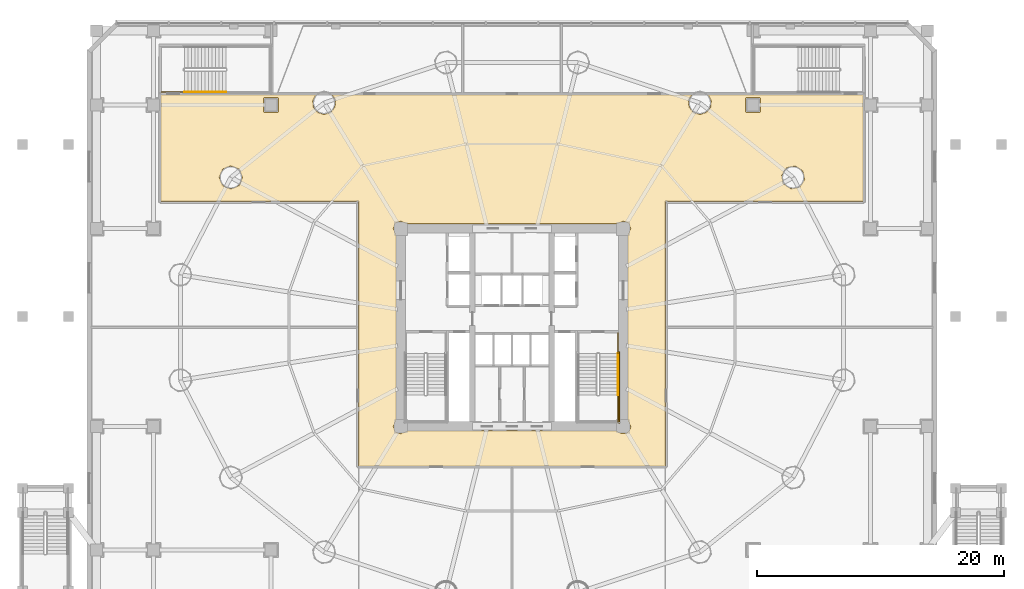
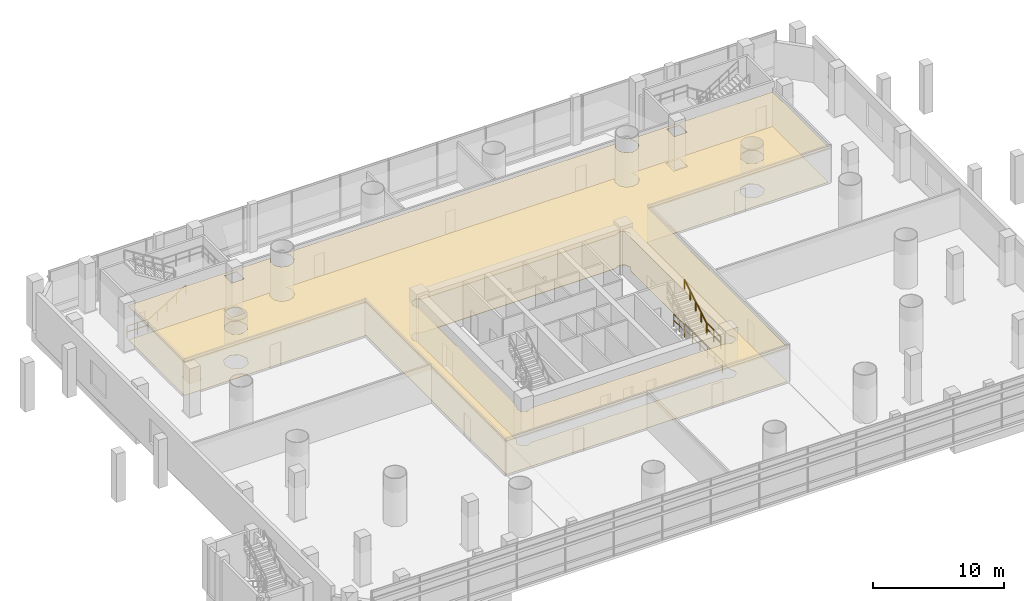
# One storey, part 30 of 36: 6 railings, 2 coverings.
"""IFC4 building model written with IfcOpenShell, lengths in metres."""

from ifc_helpers import new_model, si_unit, direction, frame, origin, origin_2d, place, context, subcontext, project, spatial, polyline, rectangle, outline, extrude, material, layer, layer_set, type_object, element, save


model = new_model("IFC4")

# Units and contexts
model_context = context("Model", 3, precision=1e-05, world=origin(), true_north=direction((-0.2419218956, 0.970295726276)))
body_context = subcontext(model_context, "Body", "Model", "MODEL_VIEW")
ifc_project = project(units=[si_unit("LENGTHUNIT", "METRE"), si_unit("AREAUNIT", "SQUARE_METRE"), si_unit("VOLUMEUNIT", "CUBIC_METRE"), si_unit("PLANEANGLEUNIT", "RADIAN"), si_unit("MASSUNIT", "GRAM", prefix="KILO")], contexts=[model_context])

# Site, building, storey
site_placement = place(None, origin())
site = spatial("IfcSite", under=ifc_project, at=site_placement, CompositionType="ELEMENT")
building_placement = place(site_placement, origin())
building = spatial("IfcBuilding", under=site, at=building_placement, Name="Cobrevalo Terracotta Tower", CompositionType="ELEMENT")
storey_placement = place(building_placement, frame((0.0, 0.0, 9.89990234375)))
storey = spatial("IfcBuildingStorey", under=building, at=storey_placement, Name="L02", CompositionType="ELEMENT", Elevation=9.89990234375)

# Coverings
ifc_material_1 = material(Name="Honed terracotta and granite tile", Category="masonry")
ifc_layer_1 = layer(ifc_material_1, 0.034912109375)
ifc_layer_set_1 = layer_set([ifc_layer_1], Name="Honed terracotta and granite tile")
covering_type_1 = type_object("IfcCoveringType", Name="Honed Terracotta & Granite Interior Flooring 35", PredefinedType="FLOORING", material=ifc_layer_set_1)
covering_1_placement = place(storey_placement, origin())
element("IfcCovering", 1, at=covering_1_placement, inside=storey, type_object=covering_type_1, Name="L02 Podium Gallery Concourse floor finish", PredefinedType="FLOORING", context=body_context, shape_type="SweptSolid", body=[
    extrude(outline(polyline([(9.6201171875, 45.580078125), (22.088134765625, 45.60009765625), (21.863525390625, 45.155029296875), (21.918212890625, 44.60009765625), (22.271728515625, 44.16943359375), (22.80517578125, 44.007568359375), (23.338623046875, 44.16943359375), (23.692138671875, 44.60009765625), (23.746826171875, 45.155029296875), (23.522216796875, 45.60009765625), (52.477783203125, 45.60009765625), (52.253173828125, 45.155029296875), (52.307861328125, 44.60009765625), (52.661376953125, 44.16943359375), (53.19482421875, 44.007568359375), (53.728271484375, 44.16943359375), (54.081787109375, 44.60009765625), (54.136474609375, 45.155029296875), (53.911865234375, 45.60009765625), (66.3798828125, 45.580078125), (66.3798828125, 37.02001953125), (50.3798828125, 37.02001953125), (50.3798828125, 15.6201171875), (25.6201171875, 15.6201171875), (25.6201171875, 37.02001953125), (9.6201171875, 37.02001953125), (9.6201171875, 45.580078125)]), holes=[polyline([(61.274169921875, 38.140869140625), (61.682373046875, 38.751953125), (61.5390625, 39.47265625), (60.927978515625, 39.880859375), (60.207275390625, 39.737548828125), (59.799072265625, 39.12646484375), (59.9423828125, 38.40576171875), (60.553466796875, 37.99755859375), (61.274169921875, 38.140869140625)]), polyline([(56.89990234375, 45.39990234375), (56.89990234375, 44.199951171875), (58.10009765625, 44.199951171875), (58.10009765625, 45.39990234375), (56.89990234375, 45.39990234375)]), polyline([(46.5322265625, 18.405029296875), (46.7626953125, 18.226806640625), (47.2373046875, 18.226806640625), (47.5732421875, 18.5625), (47.620361328125, 18.800048828125), (47.39501953125, 19.267822265625), (47.39501953125, 34.33203125), (47.620361328125, 34.800048828125), (47.438720703125, 35.23876953125), (47.0, 35.42041015625), (46.5322265625, 35.195068359375), (29.4677734375, 35.195068359375), (29.0, 35.42041015625), (28.561279296875, 35.23876953125), (28.379638671875, 34.800048828125), (28.60498046875, 34.33203125), (28.60498046875, 19.267822265625), (28.379638671875, 18.800048828125), (28.561279296875, 18.361328125), (29.0, 18.1796875), (29.4677734375, 18.405029296875), (46.5322265625, 18.405029296875)]), polyline([(17.89990234375, 44.199951171875), (19.10009765625, 44.199951171875), (19.10009765625, 45.39990234375), (17.89990234375, 45.39990234375), (17.89990234375, 44.199951171875)]), polyline([(15.938232421875, 38.26025390625), (16.219482421875, 38.939208984375), (15.938232421875, 39.6181640625), (15.25927734375, 39.8994140625), (14.580322265625, 39.6181640625), (14.29931640625, 38.939208984375), (14.580322265625, 38.26025390625), (15.25927734375, 37.97900390625), (15.938232421875, 38.26025390625)])]), origin(), (0.0, 0.0, 1.0), 0.030029296875),
])
ifc_material_2 = material(Name="Acoustic perforated gypsum ceiling", Category="gypsum")
ifc_layer_2 = layer(ifc_material_2, 0.050048828125)
ifc_layer_set_2 = layer_set([ifc_layer_2], Name="Acoustic perforated gypsum ceiling")
covering_type_2 = type_object("IfcCoveringType", Name="Perforated Acoustic Gypsum Ceiling 50", PredefinedType="CEILING", material=ifc_layer_set_2)
covering_2_placement = place(storey_placement, frame((0.0, 0.0, 3.16015625)))
element("IfcCovering", 2, at=covering_2_placement, inside=storey, type_object=covering_type_2, Name="L02 Podium Gallery Concourse acoustic ceiling", PredefinedType="CEILING", context=body_context, shape_type="SweptSolid", body=[
    extrude(outline(polyline([(9.574951171875, 45.625), (22.183349609375, 45.64501953125), (21.907958984375, 45.14599609375), (21.9599609375, 44.617431640625), (22.296875, 44.20703125), (22.80517578125, 44.052734375), (23.3134765625, 44.20703125), (23.650390625, 44.617431640625), (23.702392578125, 45.14599609375), (23.427001953125, 45.64501953125), (52.572998046875, 45.64501953125), (52.297607421875, 45.14599609375), (52.349609375, 44.617431640625), (52.6865234375, 44.20703125), (53.19482421875, 44.052734375), (53.703125, 44.20703125), (54.0400390625, 44.617431640625), (54.092041015625, 45.14599609375), (53.816650390625, 45.64501953125), (66.425048828125, 45.625), (66.425048828125, 36.97509765625), (50.425048828125, 36.97509765625), (50.425048828125, 15.574951171875), (25.574951171875, 15.574951171875), (25.574951171875, 36.97509765625), (9.574951171875, 36.97509765625), (9.574951171875, 45.625)]), holes=[polyline([(61.2490234375, 38.178466796875), (61.637939453125, 38.7607421875), (61.50146484375, 39.447509765625), (60.919189453125, 39.83642578125), (60.232421875, 39.699951171875), (59.843505859375, 39.11767578125), (59.97998046875, 38.430908203125), (60.562255859375, 38.0419921875), (61.2490234375, 38.178466796875)]), polyline([(56.945068359375, 45.35498046875), (56.945068359375, 44.2451171875), (58.054931640625, 44.2451171875), (58.054931640625, 45.35498046875), (56.945068359375, 45.35498046875)]), polyline([(46.55615234375, 18.449951171875), (46.780029296875, 18.269287109375), (47.219970703125, 18.269287109375), (47.53076171875, 18.580078125), (47.574462890625, 18.800048828125), (47.35009765625, 19.243896484375), (47.35009765625, 34.356201171875), (47.574462890625, 34.800048828125), (47.40625, 35.206298828125), (47.0, 35.37451171875), (46.55615234375, 35.14990234375), (29.44384765625, 35.14990234375), (29.0, 35.37451171875), (28.59375, 35.206298828125), (28.425537109375, 34.800048828125), (28.64990234375, 34.356201171875), (28.64990234375, 19.243896484375), (28.425537109375, 18.800048828125), (28.59375, 18.393798828125), (29.0, 18.2255859375), (29.44384765625, 18.449951171875), (46.55615234375, 18.449951171875)]), polyline([(17.945068359375, 44.2451171875), (19.054931640625, 44.2451171875), (19.054931640625, 45.35498046875), (17.945068359375, 45.35498046875), (17.945068359375, 44.2451171875)]), polyline([(15.90625, 38.292236328125), (16.174072265625, 38.939208984375), (15.90625, 39.586181640625), (15.25927734375, 39.85400390625), (14.6123046875, 39.586181640625), (14.344482421875, 38.939208984375), (14.6123046875, 38.292236328125), (15.25927734375, 38.0244140625), (15.90625, 38.292236328125)])]), origin(), (0.0, 0.0, 1.0), 0.050048828125),
])

# Railings
ifc_material_3 = material(Name="Brushed stainless steel", Category="steel")
railing_type_1 = type_object("IfcRailingType", Name="Stainless Steel Stair Handrail 900", PredefinedType="HANDRAIL", material=ifc_material_3)
railing_1_placement = place(storey_placement, frame((46.574951171875, 21.340087890625, 2.423095703125)))
element("IfcRailing", 3, at=railing_1_placement, inside=storey, type_object=railing_type_1, Name="L02 ST-2 stair handrail 2", PredefinedType="HANDRAIL", context=body_context, shape_type="SweptSolid", body=[
    extrude(rectangle(XDim=0.048095703125, YDim=0.048095703125, at=origin_2d()), frame((0.0, 0.0, 0.8759765625), z_axis=(0.0, 0.850606129759, 0.525803396734), x_axis=(-1.0, 0.0, 0.0)), (0.0, 0.0, 1.0), 3.949951171875),
    extrude(rectangle(XDim=0.0419921875, YDim=0.0419921875, at=origin_2d()), origin(), (0.0, 0.0, 1.0), 0.851806640625),
    extrude(rectangle(XDim=0.0419921875, YDim=0.0419921875, at=origin_2d()), frame((0.0, 0.83984375, 0.519287109375)), (0.0, 0.0, 1.0), 0.851806640625),
    extrude(rectangle(XDim=0.0419921875, YDim=0.0419921875, at=origin_2d()), frame((0.0, 1.679931640625, 1.03857421875)), (0.0, 0.0, 1.0), 0.851806640625),
    extrude(rectangle(XDim=0.0419921875, YDim=0.0419921875, at=origin_2d()), frame((0.0, 2.52001953125, 1.5576171875)), (0.0, 0.0, 1.0), 0.851806640625),
    extrude(rectangle(XDim=0.0419921875, YDim=0.0419921875, at=origin_2d()), frame((0.0, 3.35986328125, 2.076904296875)), (0.0, 0.0, 1.0), 0.851806640625),
])
railing_2_placement = place(storey_placement, frame((11.5, 45.85009765625, 0.173095703125)))
element("IfcRailing", 4, at=railing_2_placement, inside=storey, type_object=railing_type_1, Name="L02 ST-P1 stair handrail 1", PredefinedType="HANDRAIL", context=body_context, shape_type="SweptSolid", body=[
    extrude(rectangle(XDim=0.048095703125, YDim=0.048095703125, at=origin_2d()), frame((0.0, 0.0, 0.8759765625), z_axis=(0.850623216509, 0.0, 0.525775754039), x_axis=(0.0, 1.0, 0.0)), (0.0, 0.0, 1.0), 3.9501953125),
    extrude(rectangle(XDim=0.0419921875, YDim=0.0419921875, at=origin_2d()), origin(), (0.0, 0.0, 1.0), 0.851806640625),
    extrude(rectangle(XDim=0.0419921875, YDim=0.0419921875, at=origin_2d()), frame((0.840087890625, 0.0, 0.519287109375)), (0.0, 0.0, 1.0), 0.851806640625),
    extrude(rectangle(XDim=0.0419921875, YDim=0.0419921875, at=origin_2d()), frame((1.68017578125, 0.0, 1.03857421875)), (0.0, 0.0, 1.0), 0.851806640625),
    extrude(rectangle(XDim=0.0419921875, YDim=0.0419921875, at=origin_2d()), frame((2.52001953125, 0.0, 1.5576171875)), (0.0, 0.0, 1.0), 0.851806640625),
    extrude(rectangle(XDim=0.0419921875, YDim=0.0419921875, at=origin_2d()), frame((3.360107421875, 0.0, 2.076904296875)), (0.0, 0.0, 1.0), 0.851806640625),
])
ifc_material_4 = material(Name="Painted galvanized steel", Category="steel")
railing_type_2 = type_object("IfcRailingType", Name="Stair Well Guard Balustrade 1150", PredefinedType="GUARDRAIL", material=ifc_material_4)
railing_3_placement = place(storey_placement, frame((46.574951171875, 21.340087890625, 2.25)))
element("IfcRailing", 5, at=railing_3_placement, inside=storey, type_object=railing_type_2, Name="L02 ST-2 stair guard 4", PredefinedType="GUARDRAIL", context=body_context, shape_type="SweptSolid", body=[
    extrude(rectangle(XDim=0.048095703125, YDim=0.048095703125, at=origin_2d()), frame((0.0, 0.0, 1.1259765625), z_axis=(0.0, -1.0, 0.0), x_axis=(1.0, 0.0, 0.0)), (0.0, 0.0, 1.0), 2.1650390625),
    extrude(rectangle(XDim=0.048095703125, YDim=0.048095703125, at=origin_2d()), frame((0.0, 0.0, 0.574951171875), z_axis=(0.0, -1.0, 0.0), x_axis=(1.0, 0.0, 0.0)), (0.0, 0.0, 1.0), 2.1650390625),
    extrude(rectangle(XDim=0.0419921875, YDim=0.0419921875, at=origin_2d()), origin(), (0.0, 0.0, 1.0), 1.101806640625),
    extrude(rectangle(XDim=0.0419921875, YDim=0.0419921875, at=origin_2d()), frame((0.0, -1.08251953125, 0.0)), (0.0, 0.0, 1.0), 1.101806640625),
    extrude(rectangle(XDim=0.0419921875, YDim=0.0419921875, at=origin_2d()), frame((0.0, -2.1650390625, 0.0)), (0.0, 0.0, 1.0), 1.101806640625),
])
railing_4_placement = place(storey_placement, frame((46.574951171875, 26.35009765625, 0.0)))
element("IfcRailing", 6, at=railing_4_placement, inside=storey, type_object=railing_type_2, Name="L02 ST-2 stair guard 9", PredefinedType="GUARDRAIL", context=body_context, shape_type="SweptSolid", body=[
    extrude(rectangle(XDim=0.048095703125, YDim=0.048095703125, at=origin_2d()), frame((0.0, 0.0, 1.1259765625), z_axis=(0.0, -1.0, 0.0), x_axis=(1.0, 0.0, 0.0)), (0.0, 0.0, 1.0), 1.650146484375),
    extrude(rectangle(XDim=0.048095703125, YDim=0.048095703125, at=origin_2d()), frame((0.0, 0.0, 0.574951171875), z_axis=(0.0, -1.0, 0.0), x_axis=(1.0, 0.0, 0.0)), (0.0, 0.0, 1.0), 1.650146484375),
    extrude(rectangle(XDim=0.0419921875, YDim=0.0419921875, at=origin_2d()), origin(), (0.0, 0.0, 1.0), 1.101806640625),
    extrude(rectangle(XDim=0.0419921875, YDim=0.0419921875, at=origin_2d()), frame((0.0, -0.8251953125, 0.0)), (0.0, 0.0, 1.0), 1.101806640625),
    extrude(rectangle(XDim=0.0419921875, YDim=0.0419921875, at=origin_2d()), frame((0.0, -1.650146484375, 0.0)), (0.0, 0.0, 1.0), 1.101806640625),
])
railing_5_placement = place(storey_placement, frame((46.675048828125, 24.800048828125, 0.0)))
element("IfcRailing", 7, at=railing_5_placement, inside=storey, type_object=railing_type_2, Name="L02 ST-2 stair guard 11", PredefinedType="GUARDRAIL", context=body_context, shape_type="SweptSolid", body=[
    extrude(rectangle(XDim=0.048095703125, YDim=0.048095703125, at=origin_2d()), frame((0.0, 0.0, 1.1259765625), z_axis=(0.0, -1.0, 0.0), x_axis=(1.0, 0.0, 0.0)), (0.0, 0.0, 1.0), 5.72509765625),
    extrude(rectangle(XDim=0.048095703125, YDim=0.048095703125, at=origin_2d()), frame((0.0, 0.0, 0.574951171875), z_axis=(0.0, -1.0, 0.0), x_axis=(1.0, 0.0, 0.0)), (0.0, 0.0, 1.0), 5.72509765625),
    extrude(rectangle(XDim=0.0419921875, YDim=0.0419921875, at=origin_2d()), origin(), (0.0, 0.0, 1.0), 1.101806640625),
    extrude(rectangle(XDim=0.0419921875, YDim=0.0419921875, at=origin_2d()), frame((0.0, -1.14501953125, 0.0)), (0.0, 0.0, 1.0), 1.101806640625),
    extrude(rectangle(XDim=0.0419921875, YDim=0.0419921875, at=origin_2d()), frame((0.0, -2.2900390625, 0.0)), (0.0, 0.0, 1.0), 1.101806640625),
    extrude(rectangle(XDim=0.0419921875, YDim=0.0419921875, at=origin_2d()), frame((0.0, -3.43505859375, 0.0)), (0.0, 0.0, 1.0), 1.101806640625),
    extrude(rectangle(XDim=0.0419921875, YDim=0.0419921875, at=origin_2d()), frame((0.0, -4.580078125, 0.0)), (0.0, 0.0, 1.0), 1.101806640625),
    extrude(rectangle(XDim=0.0419921875, YDim=0.0419921875, at=origin_2d()), frame((0.0, -5.72509765625, 0.0)), (0.0, 0.0, 1.0), 1.101806640625),
])
railing_6_placement = place(storey_placement, frame((9.64990234375, 45.85009765625, 0.0)))
element("IfcRailing", 8, at=railing_6_placement, inside=storey, type_object=railing_type_2, Name="L02 ST-P1 stair guard 8", PredefinedType="GUARDRAIL", context=body_context, shape_type="SweptSolid", body=[
    extrude(rectangle(XDim=0.048095703125, YDim=0.048095703125, at=origin_2d()), frame((0.0, 0.0, 1.1259765625), z_axis=(1.0, 0.0, 0.0), x_axis=(0.0, 1.0, 0.0)), (0.0, 0.0, 1.0), 1.85009765625),
    extrude(rectangle(XDim=0.048095703125, YDim=0.048095703125, at=origin_2d()), frame((0.0, 0.0, 0.574951171875), z_axis=(1.0, 0.0, 0.0), x_axis=(0.0, 1.0, 0.0)), (0.0, 0.0, 1.0), 1.85009765625),
    extrude(rectangle(XDim=0.0419921875, YDim=0.0419921875, at=origin_2d()), origin(), (0.0, 0.0, 1.0), 1.101806640625),
    extrude(rectangle(XDim=0.0419921875, YDim=0.0419921875, at=origin_2d()), frame((0.925048828125, 0.0, 0.0)), (0.0, 0.0, 1.0), 1.101806640625),
    extrude(rectangle(XDim=0.0419921875, YDim=0.0419921875, at=origin_2d()), frame((1.85009765625, 0.0, 0.0)), (0.0, 0.0, 1.0), 1.101806640625),
])

save(model, "model.ifc")
